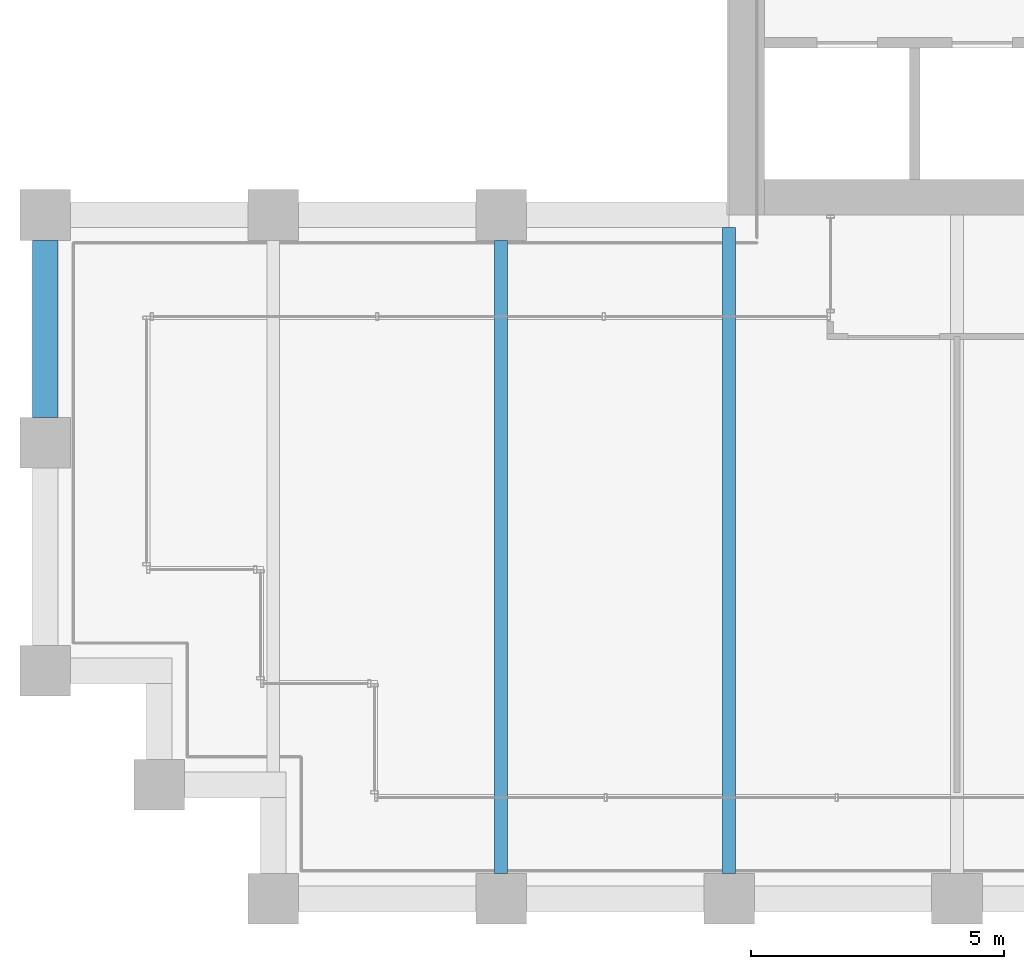
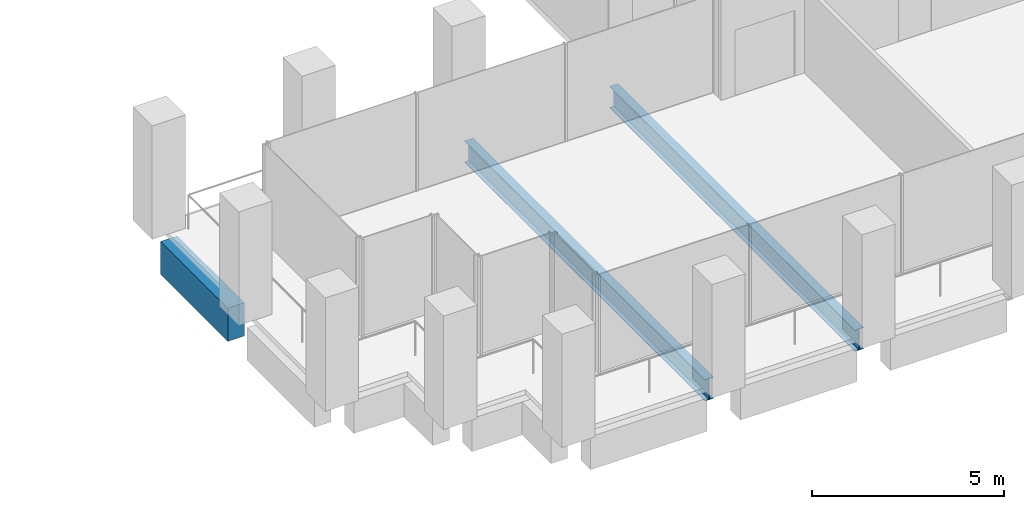
# One storey, part 4 of 46: 3 beams.
"""IFC4 building model written with IfcOpenShell, lengths in metres."""

from ifc_helpers import new_model, si_unit, direction, frame, origin, origin_2d, place, context, subcontext, project, spatial, rectangle, i_section, extrude, material, material_profile, profile_set, type_object, element, save


model = new_model("IFC4")

# Units and contexts
model_context = context("Model", 3, precision=1e-05, world=origin(), true_north=direction((0.0, 1.0)))
body_context = subcontext(model_context, "Body", "Model", "MODEL_VIEW")
ifc_project = project(units=[si_unit("LENGTHUNIT", "METRE"), si_unit("AREAUNIT", "SQUARE_METRE"), si_unit("VOLUMEUNIT", "CUBIC_METRE"), si_unit("PLANEANGLEUNIT", "RADIAN"), si_unit("MASSUNIT", "GRAM", prefix="KILO")], contexts=[model_context])

# Site, building, storey
site_placement = place(None, origin())
site = spatial("IfcSite", under=ifc_project, at=site_placement, CompositionType="ELEMENT")
building_placement = place(site_placement, origin())
building = spatial("IfcBuilding", under=site, at=building_placement, Name="Altepetl Exchange Towers", CompositionType="ELEMENT")
storey_placement = place(building_placement, frame((0.0, 0.0, 120.800048828125)))
storey = spatial("IfcBuildingStorey", under=building, at=storey_placement, Name="L29", CompositionType="ELEMENT", Elevation=120.800048828125)

# Beams
ifc_material_1 = material(Name="Steel S355", Category="steel")
ifc_material_profile_1 = material_profile(ifc_material_1, i_section(OverallWidth=0.25390625, OverallDepth=0.68408203125, WebThickness=0.012451171875, FlangeThickness=0.018798828125, at=origin_2d()), Name="W27X94")
ifc_profile_set_1 = profile_set([ifc_material_profile_1], Name="Steel S355")
beam_type_1 = type_object("IfcBeamType", Name="Floor beam W27X94", PredefinedType="BEAM", material=ifc_profile_set_1)
beam_1_placement = place(storey_placement, frame((36.0, 27.5, -0.491943359375), z_axis=(0.0, 1.0, 0.0), x_axis=(-1.0, 0.0, 0.0)))
element("IfcBeam", 1, at=beam_1_placement, inside=storey, type_object=beam_type_1, Name="bm:A:L29:013", PredefinedType="BEAM", context=body_context, shape_type="SweptSolid", body=[
    extrude(i_section(OverallWidth=0.25390625, OverallDepth=0.68408203125, WebThickness=0.012451171875, FlangeThickness=0.018798828125, at=origin_2d()), origin(), (0.0, 0.0, 1.0), 12.5),
])
beam_2_placement = place(storey_placement, frame((40.5, 27.5, -0.491943359375), z_axis=(0.0, 1.0, 0.0), x_axis=(-1.0, 0.0, 0.0)))
element("IfcBeam", 2, at=beam_2_placement, inside=storey, type_object=beam_type_1, Name="bm:A:L29:014", PredefinedType="BEAM", context=body_context, shape_type="SweptSolid", body=[
    extrude(i_section(OverallWidth=0.25390625, OverallDepth=0.68408203125, WebThickness=0.012451171875, FlangeThickness=0.018798828125, at=origin_2d()), origin(), (0.0, 0.0, 1.0), 12.75),
])
ifc_material_2 = material(Name="Concrete C50/60 precast with cantera blanca facing", Category="concrete")
ifc_material_profile_2 = material_profile(ifc_material_2, rectangle(XDim=0.5, YDim=1.050048828125, at=origin_2d()), Name="500 x 1050")
ifc_profile_set_2 = profile_set([ifc_material_profile_2], Name="Concrete C50/60 precast with cantera blanca facing")
beam_type_2 = type_object("IfcBeamType", Name="Spandrel beam 500x1050 cantera blanca", PredefinedType="SPANDREL", material=ifc_profile_set_2)
beam_3_placement = place(storey_placement, frame((27.0, 40.0, -0.675048828125), z_axis=(0.0, -1.0, 0.0), x_axis=(1.0, 0.0, 0.0)))
element("IfcBeam", 3, at=beam_3_placement, inside=storey, type_object=beam_type_2, Name="sp:A:L29:036", PredefinedType="SPANDREL", context=body_context, shape_type="SweptSolid", body=[
    extrude(rectangle(XDim=0.5, YDim=1.050048828125, at=origin_2d()), origin(), (0.0, 0.0, 1.0), 3.5),
])

save(model, "model.ifc")
